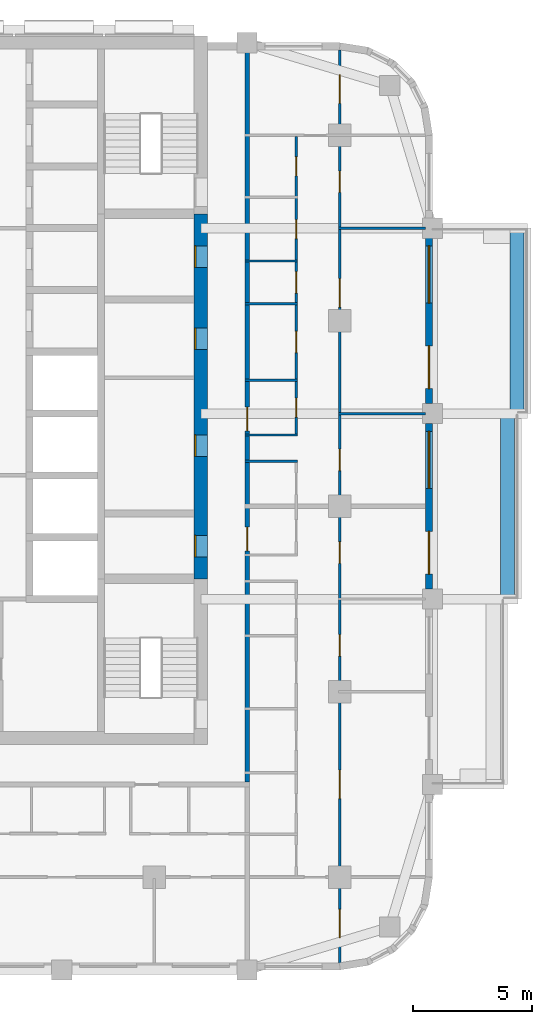
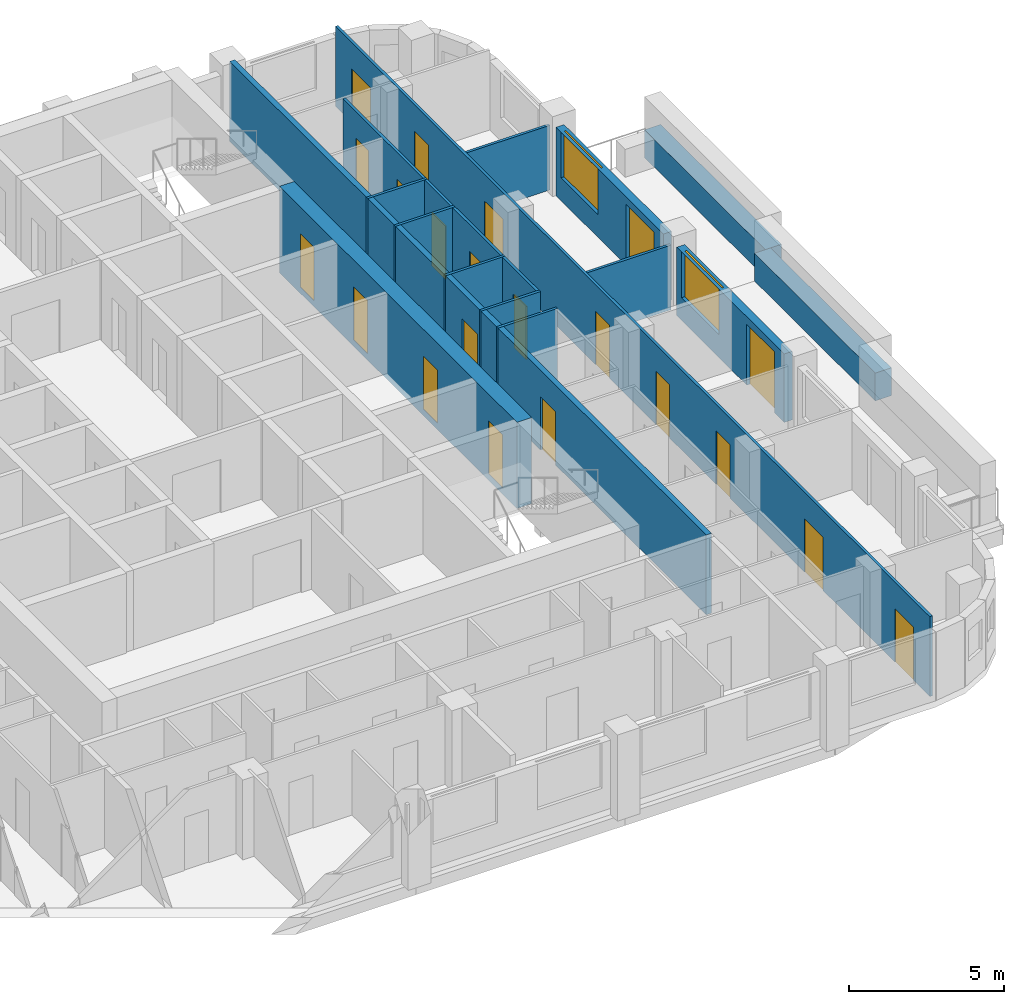
# One storey, part 7 of 13: 21 doors, 15 walls, 2 windows, 23 openings.
"""IFC4 building model written with IfcOpenShell, lengths in metres."""

from ifc_helpers import new_model, si_unit, direction, frame, frame_2d, origin, place, context, subcontext, project, spatial, rectangle, extrude, material, layer, layer_set, type_object, element, fill, save


model = new_model("IFC4")

# Units and contexts
model_context = context("Model", 3, precision=1e-05, world=origin(), true_north=direction((0.0, 1.0)))
body_context = subcontext(model_context, "Body", "Model", "MODEL_VIEW")
ifc_project = project(units=[si_unit("LENGTHUNIT", "METRE"), si_unit("AREAUNIT", "SQUARE_METRE"), si_unit("VOLUMEUNIT", "CUBIC_METRE"), si_unit("PLANEANGLEUNIT", "RADIAN"), si_unit("MASSUNIT", "GRAM", prefix="KILO")], contexts=[model_context])

# Site, building, storey
site_placement = place(None, origin())
site = spatial("IfcSite", under=ifc_project, at=site_placement, CompositionType="ELEMENT")
building_placement = place(site_placement, origin())
building = spatial("IfcBuilding", under=site, at=building_placement, Name="Ludao Terraces", CompositionType="ELEMENT")
storey_placement = place(building_placement, frame((0.0, 0.0, 127.10009765625)))
storey = spatial("IfcBuildingStorey", under=building, at=storey_placement, Name="L34", CompositionType="ELEMENT", Elevation=127.10009765625)

# Wall, openings, doors
ifc_material_1 = material(Name="Concrete C60", Category="concrete")
ifc_layer_1 = layer(ifc_material_1, 0.550048828125)
ifc_layer_set_1 = layer_set([ifc_layer_1], Name="Core wall 550 C60")
wall_type_1 = type_object("IfcWallType", Name="Core wall 550 C60", PredefinedType="SOLIDWALL", material=ifc_layer_set_1)
wall_1_placement = place(storey_placement, frame((94.75, 61.949951171875, -0.25), z_axis=(0.0, 0.0, 1.0), x_axis=(0.0, 1.0, 0.0)))
wall_1 = element("IfcWall", 1, at=wall_1_placement, inside=storey, type_object=wall_type_1, Name="Core wall L34 outer-E", PredefinedType="SOLIDWALL", context=body_context, shape_type="SweptSolid", body=[
    extrude(rectangle(XDim=15.35009765625, YDim=0.550048828125, at=frame_2d((7.675048828125, 0.0))), origin(), (0.0, 0.0, 1.0), 3.39990234375),
])
opening_1_placement = place(wall_1_placement, frame((0.925048828125, 0.0, 0.25)))
opening_1 = element("IfcOpeningElement", 2, at=opening_1_placement, cuts=wall_1, Name="Opening R10-043", PredefinedType="OPENING", context=body_context, shape_type="SweptSolid", body=[
    extrude(rectangle(XDim=0.89990234375, YDim=2.10009765625, at=frame_2d((0.449951171875, 1.050048828125))), frame((0.0, 0.28515625, 0.0), z_axis=(0.0, -1.0, 0.0), x_axis=(1.0, 0.0, 0.0)), (0.0, 0.0, 1.0), 0.570068359375),
])
opening_2_placement = place(wall_1_placement, frame((5.14990234375, 0.0, 0.25)))
opening_2 = element("IfcOpeningElement", 3, at=opening_2_placement, cuts=wall_1, Name="Opening R10-053", PredefinedType="OPENING", context=body_context, shape_type="SweptSolid", body=[
    extrude(rectangle(XDim=0.89990234375, YDim=2.10009765625, at=frame_2d((0.449951171875, 1.050048828125))), frame((0.0, 0.28515625, 0.0), z_axis=(0.0, -1.0, 0.0), x_axis=(1.0, 0.0, 0.0)), (0.0, 0.0, 1.0), 0.570068359375),
])
opening_3_placement = place(wall_1_placement, frame((9.64990234375, 0.0, 0.25)))
opening_3 = element("IfcOpeningElement", 4, at=opening_3_placement, cuts=wall_1, Name="Opening R10-064", PredefinedType="OPENING", context=body_context, shape_type="SweptSolid", body=[
    extrude(rectangle(XDim=0.89990234375, YDim=2.10009765625, at=frame_2d((0.449951171875, 1.050048828125))), frame((0.0, 0.28515625, 0.0), z_axis=(0.0, -1.0, 0.0), x_axis=(1.0, 0.0, 0.0)), (0.0, 0.0, 1.0), 0.570068359375),
])
opening_4_placement = place(wall_1_placement, frame((13.10009765625, 0.0, 0.25)))
opening_4 = element("IfcOpeningElement", 5, at=opening_4_placement, cuts=wall_1, Name="Opening R10-074", PredefinedType="OPENING", context=body_context, shape_type="SweptSolid", body=[
    extrude(rectangle(XDim=0.89990234375, YDim=2.10009765625, at=frame_2d((0.449951171875, 1.050048828125))), frame((0.0, 0.28515625, 0.0), z_axis=(0.0, -1.0, 0.0), x_axis=(1.0, 0.0, 0.0)), (0.0, 0.0, 1.0), 0.570068359375),
])
ifc_material_2 = material(Name="Steel Q235", Category="steel")
door_type_1 = type_object("IfcDoorType", Name="INT Riser door 900", OperationType="SINGLE_SWING_LEFT", PredefinedType="DOOR", material=ifc_material_2)
door_1_placement = place(opening_1_placement, origin())
door_1 = element("IfcDoor", 6, at=door_1_placement, inside=storey, type_object=door_type_1, Name="DOOR 043", OperationType="SINGLE_SWING_LEFT", OverallHeight=2.10009765625, OverallWidth=0.89990234375, PredefinedType="DOOR", context=body_context, shape_type="SweptSolid", body=[
    extrude(rectangle(XDim=0.89990234375, YDim=2.10009765625, at=frame_2d((0.449951171875, 1.050048828125))), frame((0.0, 0.26025390625, 0.0), z_axis=(0.0, -1.0, 0.0), x_axis=(1.0, 0.0, 0.0)), (0.0, 0.0, 1.0), 0.050048828125),
])
fill(opening_1, door_1)
door_2_placement = place(opening_4_placement, origin())
door_2 = element("IfcDoor", 7, at=door_2_placement, inside=storey, type_object=door_type_1, Name="DOOR 074", OperationType="SINGLE_SWING_RIGHT", OverallHeight=2.10009765625, OverallWidth=0.89990234375, PredefinedType="DOOR", context=body_context, shape_type="SweptSolid", body=[
    extrude(rectangle(XDim=0.89990234375, YDim=2.10009765625, at=frame_2d((0.449951171875, 1.050048828125))), frame((0.0, 0.26025390625, 0.0), z_axis=(0.0, -1.0, 0.0), x_axis=(1.0, 0.0, 0.0)), (0.0, 0.0, 1.0), 0.050048828125),
])
fill(opening_4, door_2)
ifc_material_3 = material(Name="Timber door leaf", Category="wood")
door_type_2 = type_object("IfcDoorType", Name="INT Room door 900", OperationType="SINGLE_SWING_LEFT", PredefinedType="DOOR", material=ifc_material_3)
door_3_placement = place(opening_2_placement, origin())
door_3 = element("IfcDoor", 8, at=door_3_placement, inside=storey, type_object=door_type_2, Name="DOOR 053", OperationType="SINGLE_SWING_LEFT", OverallHeight=2.10009765625, OverallWidth=0.89990234375, PredefinedType="DOOR", context=body_context, shape_type="SweptSolid", body=[
    extrude(rectangle(XDim=0.89990234375, YDim=2.10009765625, at=frame_2d((0.449951171875, 1.050048828125))), frame((0.0, 0.26025390625, 0.0), z_axis=(0.0, -1.0, 0.0), x_axis=(1.0, 0.0, 0.0)), (0.0, 0.0, 1.0), 0.050048828125),
])
fill(opening_2, door_3)
door_4_placement = place(opening_3_placement, origin())
door_4 = element("IfcDoor", 9, at=door_4_placement, inside=storey, type_object=door_type_2, Name="DOOR 064", OperationType="SINGLE_SWING_RIGHT", OverallHeight=2.10009765625, OverallWidth=0.89990234375, PredefinedType="DOOR", context=body_context, shape_type="SweptSolid", body=[
    extrude(rectangle(XDim=0.89990234375, YDim=2.10009765625, at=frame_2d((0.449951171875, 1.050048828125))), frame((0.0, 0.26025390625, 0.0), z_axis=(0.0, -1.0, 0.0), x_axis=(1.0, 0.0, 0.0)), (0.0, 0.0, 1.0), 0.050048828125),
])
fill(opening_3, door_4)

# Walls
ifc_material_4 = material(Name="Concrete C40", Category="concrete")
ifc_layer_2 = layer(ifc_material_4, 0.60009765625)
ifc_layer_set_2 = layer_set([ifc_layer_2], Name="ENV Planter trough 600")
wall_type_2 = type_object("IfcWallType", Name="ENV Planter trough 600", PredefinedType="USERDEFINED", material=ifc_layer_set_2)
wall_2_placement = place(storey_placement, frame((107.64990234375, 61.10009765625, 0.0), z_axis=(0.0, 0.0, 1.0), x_axis=(0.0, 1.0, 0.0)))
element("IfcWall", 10, at=wall_2_placement, inside=storey, type_object=wall_type_2, Name="PL-L34-E2", ObjectType="PLANTER", PredefinedType="USERDEFINED", context=body_context, shape_type="SweptSolid", body=[
    extrude(rectangle(XDim=7.7998046875, YDim=0.60009765625, at=frame_2d((3.89990234375, 0.0))), origin(), (0.0, 0.0, 1.0), 1.099853515625),
])
wall_3_placement = place(storey_placement, frame((108.050048828125, 68.89990234375, 0.0), z_axis=(0.0, 0.0, 1.0), x_axis=(0.0, 1.0, 0.0)))
element("IfcWall", 11, at=wall_3_placement, inside=storey, type_object=wall_type_2, Name="PL-L34-E3", ObjectType="PLANTER", PredefinedType="USERDEFINED", context=body_context, shape_type="SweptSolid", body=[
    extrude(rectangle(XDim=7.800048828125, YDim=0.60009765625, at=frame_2d((3.89990234375, 0.0))), origin(), (0.0, 0.0, 1.0), 1.099853515625),
])

# Wall, openings, door, window
ifc_material_5 = material(Name="Granite cladding", Category="masonry")
ifc_layer_3 = layer(ifc_material_5, 0.0400390625, Category="stone")
ifc_material_6 = material(Name="Mineral wool")
ifc_layer_4 = layer(ifc_material_6, 0.06005859375)
ifc_layer_5 = layer(ifc_material_4, 0.199951171875, Category="concrete")
ifc_layer_set_3 = layer_set([ifc_layer_3, ifc_layer_4, ifc_layer_5], Name="ENV Stone-clad wall 300")
wall_type_3 = type_object("IfcWallType", Name="ENV Stone-clad wall 300", PredefinedType="SOLIDWALL", material=ifc_layer_set_3)
wall_4_placement = place(storey_placement, frame((104.35009765625, 61.52490234375, 0.0), z_axis=(0.0, 0.0, 1.0), x_axis=(0.0, 1.0, 0.0)))
wall_4 = element("IfcWall", 12, at=wall_4_placement, inside=storey, type_object=wall_type_3, Name="EW-L34-E3", PredefinedType="SOLIDWALL", context=body_context, shape_type="SweptSolid", body=[
    extrude(rectangle(XDim=6.9501953125, YDim=0.300048828125, at=frame_2d((3.47509765625, 0.0))), origin(), (0.0, 0.0, 1.0), 2.699951171875),
])
opening_5_placement = place(wall_4_placement, frame((0.625, 0.0, 0.0)))
opening_5 = element("IfcOpeningElement", 13, at=opening_5_placement, cuts=wall_4, Name="Opening BD", PredefinedType="OPENING", context=body_context, shape_type="SweptSolid", body=[
    extrude(rectangle(XDim=1.800048828125, YDim=2.39990234375, at=frame_2d((0.89990234375, 1.199951171875))), frame((0.0, 0.16015625, 0.0), z_axis=(0.0, -1.0, 0.0), x_axis=(1.0, 0.0, 0.0)), (0.0, 0.0, 1.0), 0.320068359375),
])
opening_6_placement = place(wall_4_placement, frame((4.22509765625, 0.0, 0.89990234375)))
opening_6 = element("IfcOpeningElement", 14, at=opening_6_placement, cuts=wall_4, Name="Opening W1", PredefinedType="OPENING", context=body_context, shape_type="SweptSolid", body=[
    extrude(rectangle(XDim=2.39990234375, YDim=1.800048828125, at=frame_2d((1.199951171875, 0.89990234375))), frame((0.0, 0.16015625, 0.0), z_axis=(0.0, -1.0, 0.0), x_axis=(1.0, 0.0, 0.0)), (0.0, 0.0, 1.0), 0.320068359375),
])
ifc_material_7 = material(Name="Aluminium glazed door", Category="aluminium")
ifc_layer_6 = layer(ifc_material_7, 0.06005859375)
ifc_layer_set_4 = layer_set([ifc_layer_6], Name="ENV Balcony door BD 1800x2400")
door_type_3 = type_object("IfcDoorType", Name="ENV Balcony door BD 1800x2400", OperationType="DOUBLE_DOOR_SINGLE_SWING", PredefinedType="DOOR", material=ifc_layer_set_4)
door_5_placement = place(opening_5_placement, origin())
door_5 = element("IfcDoor", 15, at=door_5_placement, inside=storey, type_object=door_type_3, Name="BD-L34-E3-1", OperationType="DOUBLE_DOOR_SINGLE_SWING", OverallHeight=2.39990234375, OverallWidth=1.800048828125, PredefinedType="DOOR", context=body_context, shape_type="SweptSolid", body=[
    extrude(rectangle(XDim=1.800048828125, YDim=2.39990234375, at=frame_2d((0.89990234375, 1.199951171875))), frame((0.0, 0.02490234375, 0.0), z_axis=(0.0, -1.0, 0.0), x_axis=(1.0, 0.0, 0.0)), (0.0, 0.0, 1.0), 0.050048828125),
])
fill(opening_5, door_5)
ifc_material_8 = material(Name="Clear glass in aluminium frame", Category="aluminium")
ifc_layer_7 = layer(ifc_material_8, 0.06005859375)
ifc_layer_set_5 = layer_set([ifc_layer_7], Name="ENV Window W1 2400x1800")
window_type = type_object("IfcWindowType", Name="ENV Window W1 2400x1800", PartitioningType="DOUBLE_PANEL_VERTICAL", PredefinedType="WINDOW", material=ifc_layer_set_5)
window_1_placement = place(opening_6_placement, origin())
window_1 = element("IfcWindow", 16, at=window_1_placement, inside=storey, type_object=window_type, Name="W-L34-E3-2", OverallHeight=1.800048828125, OverallWidth=2.39990234375, PartitioningType="DOUBLE_PANEL_VERTICAL", PredefinedType="WINDOW", context=body_context, shape_type="SweptSolid", body=[
    extrude(rectangle(XDim=2.39990234375, YDim=1.800048828125, at=frame_2d((1.199951171875, 0.89990234375))), frame((0.0, 0.030029296875, 0.0), z_axis=(0.0, -1.0, 0.0), x_axis=(1.0, 0.0, 0.0)), (0.0, 0.0, 1.0), 0.06005859375),
])
fill(opening_6, window_1)

wall_5_placement = place(storey_placement, frame((104.35009765625, 69.324951171875, 0.0), z_axis=(0.0, 0.0, 1.0), x_axis=(0.0, 1.0, 0.0)))
wall_5 = element("IfcWall", 17, at=wall_5_placement, inside=storey, type_object=wall_type_3, Name="EW-L34-E4", PredefinedType="SOLIDWALL", context=body_context, shape_type="SweptSolid", body=[
    extrude(rectangle(XDim=6.949951171875, YDim=0.300048828125, at=frame_2d((3.47509765625, 0.0))), origin(), (0.0, 0.0, 1.0), 2.699951171875),
])
opening_7_placement = place(wall_5_placement, frame((0.625, 0.0, 0.0)))
opening_7 = element("IfcOpeningElement", 18, at=opening_7_placement, cuts=wall_5, Name="Opening BD", PredefinedType="OPENING", context=body_context, shape_type="SweptSolid", body=[
    extrude(rectangle(XDim=1.800048828125, YDim=2.39990234375, at=frame_2d((0.89990234375, 1.199951171875))), frame((0.0, 0.16015625, 0.0), z_axis=(0.0, -1.0, 0.0), x_axis=(1.0, 0.0, 0.0)), (0.0, 0.0, 1.0), 0.320068359375),
])
opening_8_placement = place(wall_5_placement, frame((4.22509765625, 0.0, 0.89990234375)))
opening_8 = element("IfcOpeningElement", 19, at=opening_8_placement, cuts=wall_5, Name="Opening W1", PredefinedType="OPENING", context=body_context, shape_type="SweptSolid", body=[
    extrude(rectangle(XDim=2.39990234375, YDim=1.800048828125, at=frame_2d((1.199951171875, 0.89990234375))), frame((0.0, 0.16015625, 0.0), z_axis=(0.0, -1.0, 0.0), x_axis=(1.0, 0.0, 0.0)), (0.0, 0.0, 1.0), 0.320068359375),
])
door_6_placement = place(opening_7_placement, origin())
door_6 = element("IfcDoor", 20, at=door_6_placement, inside=storey, type_object=door_type_3, Name="BD-L34-E4-1", OperationType="DOUBLE_DOOR_SINGLE_SWING", OverallHeight=2.39990234375, OverallWidth=1.800048828125, PredefinedType="DOOR", context=body_context, shape_type="SweptSolid", body=[
    extrude(rectangle(XDim=1.800048828125, YDim=2.39990234375, at=frame_2d((0.89990234375, 1.199951171875))), frame((0.0, 0.02490234375, 0.0), z_axis=(0.0, -1.0, 0.0), x_axis=(1.0, 0.0, 0.0)), (0.0, 0.0, 1.0), 0.050048828125),
])
fill(opening_7, door_6)
window_2_placement = place(opening_8_placement, origin())
window_2 = element("IfcWindow", 21, at=window_2_placement, inside=storey, type_object=window_type, Name="W-L34-E4-2", OverallHeight=1.800048828125, OverallWidth=2.39990234375, PartitioningType="DOUBLE_PANEL_VERTICAL", PredefinedType="WINDOW", context=body_context, shape_type="SweptSolid", body=[
    extrude(rectangle(XDim=2.39990234375, YDim=1.800048828125, at=frame_2d((1.199951171875, 0.89990234375))), frame((0.0, 0.030029296875, 0.0), z_axis=(0.0, -1.0, 0.0), x_axis=(1.0, 0.0, 0.0)), (0.0, 0.0, 1.0), 0.06005859375),
])
fill(opening_8, window_2)

# Wall, openings, doors
ifc_material_9 = material(Name="Autoclaved aerated concrete block B06 A3.5", Category="concrete")
ifc_layer_8 = layer(ifc_material_9, 0.199951171875)
ifc_layer_set_6 = layer_set([ifc_layer_8], Name="INT Entrance wall 200")
wall_type_4 = type_object("IfcWallType", Name="INT Entrance wall 200", PredefinedType="PARTITIONING", material=ifc_layer_set_6)
wall_6_placement = place(storey_placement, frame((96.699951171875, 53.400146484375, 0.0), z_axis=(0.0, 0.0, 1.0), x_axis=(0.0, 1.0, 0.0)))
wall_6 = element("IfcWall", 22, at=wall_6_placement, inside=storey, type_object=wall_type_4, Name="PW-L34-PW067", PredefinedType="PARTITIONING", context=body_context, shape_type="SweptSolid", body=[
    extrude(rectangle(XDim=30.800048828125, YDim=0.199951171875, at=frame_2d((15.39990234375, 0.0))), origin(), (0.0, 0.0, 1.0), 3.14990234375),
])
opening_9_placement = place(wall_6_placement, frame((9.72509765625, 0.0, 0.0)))
opening_9 = element("IfcOpeningElement", 23, at=opening_9_placement, cuts=wall_6, Name="Opening R10-044", PredefinedType="OPENING", context=body_context, shape_type="SweptSolid", body=[
    extrude(rectangle(XDim=1.0, YDim=2.10009765625, at=frame_2d((0.5, 1.050048828125))), frame((0.0, 0.10986328125, 0.0), z_axis=(0.0, -1.0, 0.0), x_axis=(1.0, 0.0, 0.0)), (0.0, 0.0, 1.0), 0.219970703125),
])
opening_10_placement = place(wall_6_placement, frame((14.77490234375, 0.0, 0.0)))
opening_10 = element("IfcOpeningElement", 24, at=opening_10_placement, cuts=wall_6, Name="Opening R10-057", PredefinedType="OPENING", context=body_context, shape_type="SweptSolid", body=[
    extrude(rectangle(XDim=1.0, YDim=2.10009765625, at=frame_2d((0.5, 1.050048828125))), frame((0.0, 0.10986328125, 0.0), z_axis=(0.0, -1.0, 0.0), x_axis=(1.0, 0.0, 0.0)), (0.0, 0.0, 1.0), 0.219970703125),
])
door_type_4 = type_object("IfcDoorType", Name="INT Flat entrance door 1000", OperationType="SINGLE_SWING_LEFT", PredefinedType="DOOR", material=ifc_material_2)
door_7_placement = place(opening_9_placement, origin())
door_7 = element("IfcDoor", 25, at=door_7_placement, inside=storey, type_object=door_type_4, Name="DOOR 044", OperationType="SINGLE_SWING_LEFT", OverallHeight=2.10009765625, OverallWidth=1.0, PredefinedType="DOOR", context=body_context, shape_type="SweptSolid", body=[
    extrude(rectangle(XDim=1.0, YDim=2.10009765625, at=frame_2d((0.5, 1.050048828125))), frame((0.0, 0.02490234375, 0.0), z_axis=(0.0, -1.0, 0.0), x_axis=(1.0, 0.0, 0.0)), (0.0, 0.0, 1.0), 0.050048828125),
])
fill(opening_9, door_7)
door_8_placement = place(opening_10_placement, origin())
door_8 = element("IfcDoor", 26, at=door_8_placement, inside=storey, type_object=door_type_4, Name="DOOR 057", OperationType="SINGLE_SWING_LEFT", OverallHeight=2.10009765625, OverallWidth=1.0, PredefinedType="DOOR", context=body_context, shape_type="SweptSolid", body=[
    extrude(rectangle(XDim=1.0, YDim=2.10009765625, at=frame_2d((0.5, 1.050048828125))), frame((0.0, 0.02490234375, 0.0), z_axis=(0.0, -1.0, 0.0), x_axis=(1.0, 0.0, 0.0)), (0.0, 0.0, 1.0), 0.050048828125),
])
fill(opening_10, door_8)

# Walls
ifc_material_10 = material(Name="Gypsum plasterboard", Category="gypsum")
ifc_layer_9 = layer(ifc_material_10, 0.012451171875, Category="gypsum")
ifc_layer_10 = layer(ifc_material_6, 0.06005859375, Name="insulation")
ifc_layer_11 = layer(ifc_material_2, 0.014892578125, Name="stud")
ifc_layer_12 = layer(ifc_material_10, 0.012451171875, Category="gypsum")
ifc_layer_set_7 = layer_set([ifc_layer_9, ifc_layer_10, ifc_layer_11, ifc_layer_12], Name="INT Partition 100")
wall_type_5 = type_object("IfcWallType", Name="INT Partition 100", PredefinedType="PARTITIONING", material=ifc_layer_set_7)
for number, where, z_axis, x_axis, name in (
    (27, (96.60009765625, 66.89990234375, 0.0), (0.0, 0.0, 1.0), (1.0, 0.0, 0.0), "PW-L34-PW025"),
    (28, (96.60009765625, 68.0, 0.0), (0.0, 0.0, 1.0), (1.0, 0.0, 0.0), "PW-L34-PW028"),
):
    element("IfcWall", number, at=place(storey_placement, frame(where, z_axis=z_axis, x_axis=x_axis)), inside=storey, type_object=wall_type_5, Name=name, PredefinedType="PARTITIONING", context=body_context, shape_type="SweptSolid", body=[
        extrude(rectangle(XDim=2.219970703125, YDim=0.10009765625, at=frame_2d((1.10986328125, 0.0))), origin(), (0.0, 0.0, 1.0), 3.14990234375),
    ])
wall_7_placement = place(storey_placement, frame((100.550048828125, 68.89990234375, 0.0), z_axis=(0.0, 0.0, 1.0), x_axis=(1.0, 0.0, 0.0)))
element("IfcWall", 29, at=wall_7_placement, inside=storey, type_object=wall_type_5, Name="PW-L34-PW030", PredefinedType="PARTITIONING", context=body_context, shape_type="SweptSolid", body=[
    extrude(rectangle(XDim=3.650146484375, YDim=0.10009765625, at=frame_2d((1.8251953125, 0.0))), origin(), (0.0, 0.0, 1.0), 2.5498046875),
])
for number, where, z_axis, x_axis, name in (
    (30, (96.60009765625, 70.300048828125, 0.0), (0.0, 0.0, 1.0), (1.0, 0.0, 0.0), "PW-L34-PW032"),
    (31, (96.60009765625, 73.52001953125, 0.0), (0.0, 0.0, 1.0), (1.0, 0.0, 0.0), "PW-L34-PW036"),
    (32, (96.60009765625, 75.320068359375, 0.0), (0.0, 0.0, 1.0), (1.0, 0.0, 0.0), "PW-L34-PW038"),
):
    element("IfcWall", number, at=place(storey_placement, frame(where, z_axis=z_axis, x_axis=x_axis)), inside=storey, type_object=wall_type_5, Name=name, PredefinedType="PARTITIONING", context=body_context, shape_type="SweptSolid", body=[
        extrude(rectangle(XDim=2.219970703125, YDim=0.10009765625, at=frame_2d((1.10986328125, 0.0))), origin(), (0.0, 0.0, 1.0), 3.14990234375),
    ])
wall_8_placement = place(storey_placement, frame((100.550048828125, 76.699951171875, 0.0), z_axis=(0.0, 0.0, 1.0), x_axis=(1.0, 0.0, 0.0)))
element("IfcWall", 33, at=wall_8_placement, inside=storey, type_object=wall_type_5, Name="PW-L34-PW041", PredefinedType="PARTITIONING", context=body_context, shape_type="SweptSolid", body=[
    extrude(rectangle(XDim=3.650146484375, YDim=0.10009765625, at=frame_2d((1.8251953125, 0.0))), origin(), (0.0, 0.0, 1.0), 2.5498046875),
])

# Wall, openings, doors
wall_9_placement = place(storey_placement, frame((98.77001953125, 68.050048828125, 0.0), z_axis=(0.0, 0.0, 1.0), x_axis=(0.0, 1.0, 0.0)))
wall_9 = element("IfcWall", 34, at=wall_9_placement, inside=storey, type_object=wall_type_5, Name="PW-L34-PW070", PredefinedType="PARTITIONING", context=body_context, shape_type="SweptSolid", body=[
    extrude(rectangle(XDim=12.5, YDim=0.10009765625, at=frame_2d((6.25, 0.0))), origin(), (0.0, 0.0, 1.0), 3.14990234375),
])
opening_11_placement = place(wall_9_placement, frame((0.699951171875, 0.0, 0.0)))
opening_11 = element("IfcOpeningElement", 35, at=opening_11_placement, cuts=wall_9, Name="Opening R10-058", PredefinedType="OPENING", context=body_context, shape_type="SweptSolid", body=[
    extrude(rectangle(XDim=0.800048828125, YDim=2.10009765625, at=frame_2d((0.39990234375, 1.050048828125))), frame((0.0, 0.06005859375, 0.0), z_axis=(0.0, -1.0, 0.0), x_axis=(1.0, 0.0, 0.0)), (0.0, 0.0, 1.0), 0.1201171875),
])
opening_12_placement = place(wall_9_placement, frame((3.409912109375, 0.0, 0.0)))
opening_12 = element("IfcOpeningElement", 36, at=opening_12_placement, cuts=wall_9, Name="Opening R10-063", PredefinedType="OPENING", context=body_context, shape_type="SweptSolid", body=[
    extrude(rectangle(XDim=0.89990234375, YDim=2.10009765625, at=frame_2d((0.449951171875, 1.050048828125))), frame((0.0, 0.06005859375, 0.0), z_axis=(0.0, -1.0, 0.0), x_axis=(1.0, 0.0, 0.0)), (0.0, 0.0, 1.0), 0.1201171875),
])
opening_13_placement = place(wall_9_placement, frame((5.919921875, 0.0, 0.0)))
opening_13 = element("IfcOpeningElement", 37, at=opening_13_placement, cuts=wall_9, Name="Opening R10-070", PredefinedType="OPENING", context=body_context, shape_type="SweptSolid", body=[
    extrude(rectangle(XDim=0.89990234375, YDim=2.10009765625, at=frame_2d((0.449951171875, 1.050048828125))), frame((0.0, 0.06005859375, 0.0), z_axis=(0.0, -1.0, 0.0), x_axis=(1.0, 0.0, 0.0)), (0.0, 0.0, 1.0), 0.1201171875),
])
opening_14_placement = place(wall_9_placement, frame((8.2099609375, 0.0, 0.0)))
opening_14 = element("IfcOpeningElement", 38, at=opening_14_placement, cuts=wall_9, Name="Opening R10-076", PredefinedType="OPENING", context=body_context, shape_type="SweptSolid", body=[
    extrude(rectangle(XDim=0.800048828125, YDim=2.10009765625, at=frame_2d((0.39990234375, 1.050048828125))), frame((0.0, 0.06005859375, 0.0), z_axis=(0.0, -1.0, 0.0), x_axis=(1.0, 0.0, 0.0)), (0.0, 0.0, 1.0), 0.1201171875),
])
opening_15_placement = place(wall_9_placement, frame((10.85009765625, 0.0, 0.0)))
opening_15 = element("IfcOpeningElement", 39, at=opening_15_placement, cuts=wall_9, Name="Opening R10-086", PredefinedType="OPENING", context=body_context, shape_type="SweptSolid", body=[
    extrude(rectangle(XDim=0.800048828125, YDim=2.10009765625, at=frame_2d((0.39990234375, 1.050048828125))), frame((0.0, 0.06005859375, 0.0), z_axis=(0.0, -1.0, 0.0), x_axis=(1.0, 0.0, 0.0)), (0.0, 0.0, 1.0), 0.1201171875),
])
door_type_5 = type_object("IfcDoorType", Name="INT Bathroom door 900", OperationType="SINGLE_SWING_LEFT", PredefinedType="DOOR", material=ifc_material_3)
door_9_placement = place(opening_13_placement, origin())
door_9 = element("IfcDoor", 40, at=door_9_placement, inside=storey, type_object=door_type_5, Name="DOOR 070", OperationType="SINGLE_SWING_LEFT", OverallHeight=2.10009765625, OverallWidth=0.89990234375, PredefinedType="DOOR", context=body_context, shape_type="SweptSolid", body=[
    extrude(rectangle(XDim=0.89990234375, YDim=2.10009765625, at=frame_2d((0.449951171875, 1.050048828125))), frame((0.0, 0.02490234375, 0.0), z_axis=(0.0, -1.0, 0.0), x_axis=(1.0, 0.0, 0.0)), (0.0, 0.0, 1.0), 0.050048828125),
])
fill(opening_13, door_9)
door_10_placement = place(opening_12_placement, origin())
door_10 = element("IfcDoor", 41, at=door_10_placement, inside=storey, type_object=door_type_2, Name="DOOR 063", OperationType="SINGLE_SWING_LEFT", OverallHeight=2.10009765625, OverallWidth=0.89990234375, PredefinedType="DOOR", context=body_context, shape_type="SweptSolid", body=[
    extrude(rectangle(XDim=0.89990234375, YDim=2.10009765625, at=frame_2d((0.449951171875, 1.050048828125))), frame((0.0, 0.02490234375, 0.0), z_axis=(0.0, -1.0, 0.0), x_axis=(1.0, 0.0, 0.0)), (0.0, 0.0, 1.0), 0.050048828125),
])
fill(opening_12, door_10)
door_type_6 = type_object("IfcDoorType", Name="INT Store door 800", OperationType="SINGLE_SWING_LEFT", PredefinedType="DOOR", material=ifc_material_3)
door_11_placement = place(opening_11_placement, origin())
door_11 = element("IfcDoor", 42, at=door_11_placement, inside=storey, type_object=door_type_6, Name="DOOR 058", OperationType="SINGLE_SWING_LEFT", OverallHeight=2.10009765625, OverallWidth=0.800048828125, PredefinedType="DOOR", context=body_context, shape_type="SweptSolid", body=[
    extrude(rectangle(XDim=0.800048828125, YDim=2.10009765625, at=frame_2d((0.39990234375, 1.050048828125))), frame((0.0, 0.02490234375, 0.0), z_axis=(0.0, -1.0, 0.0), x_axis=(1.0, 0.0, 0.0)), (0.0, 0.0, 1.0), 0.050048828125),
])
fill(opening_11, door_11)
door_12_placement = place(opening_14_placement, origin())
door_12 = element("IfcDoor", 43, at=door_12_placement, inside=storey, type_object=door_type_6, Name="DOOR 076", OperationType="SINGLE_SWING_LEFT", OverallHeight=2.10009765625, OverallWidth=0.800048828125, PredefinedType="DOOR", context=body_context, shape_type="SweptSolid", body=[
    extrude(rectangle(XDim=0.800048828125, YDim=2.10009765625, at=frame_2d((0.39990234375, 1.050048828125))), frame((0.0, 0.02490234375, 0.0), z_axis=(0.0, -1.0, 0.0), x_axis=(1.0, 0.0, 0.0)), (0.0, 0.0, 1.0), 0.050048828125),
])
fill(opening_14, door_12)
door_13_placement = place(opening_15_placement, origin())
door_13 = element("IfcDoor", 44, at=door_13_placement, inside=storey, type_object=door_type_6, Name="DOOR 086", OperationType="SINGLE_SWING_RIGHT", OverallHeight=2.10009765625, OverallWidth=0.800048828125, PredefinedType="DOOR", context=body_context, shape_type="SweptSolid", body=[
    extrude(rectangle(XDim=0.800048828125, YDim=2.10009765625, at=frame_2d((0.39990234375, 1.050048828125))), frame((0.0, 0.02490234375, 0.0), z_axis=(0.0, -1.0, 0.0), x_axis=(1.0, 0.0, 0.0)), (0.0, 0.0, 1.0), 0.050048828125),
])
fill(opening_15, door_13)

wall_10_placement = place(storey_placement, frame((100.60009765625, 45.800048828125, 0.0), z_axis=(0.0, 0.0, 1.0), x_axis=(0.0, 1.0, 0.0)))
wall_10 = element("IfcWall", 45, at=wall_10_placement, inside=storey, type_object=wall_type_5, Name="PW-L34-PW071", PredefinedType="PARTITIONING", context=body_context, shape_type="SweptSolid", body=[
    extrude(rectangle(XDim=38.400146484375, YDim=0.10009765625, at=frame_2d((19.2001953125, 0.0))), origin(), (0.0, 0.0, 1.0), 3.14990234375),
])
opening_16_placement = place(wall_10_placement, frame((1.050048828125, 0.0, 0.0)))
opening_16 = element("IfcOpeningElement", 46, at=opening_16_placement, cuts=wall_10, Name="Opening R10-002", PredefinedType="OPENING", context=body_context, shape_type="SweptSolid", body=[
    extrude(rectangle(XDim=1.199951171875, YDim=2.10009765625, at=frame_2d((0.60009765625, 1.050048828125))), frame((0.0, 0.06005859375, 0.0), z_axis=(0.0, -1.0, 0.0), x_axis=(1.0, 0.0, 0.0)), (0.0, 0.0, 1.0), 0.1201171875),
])
opening_17_placement = place(wall_10_placement, frame((6.89990234375, 0.0, 0.0)))
opening_17 = element("IfcOpeningElement", 47, at=opening_17_placement, cuts=wall_10, Name="Opening R10-024", PredefinedType="OPENING", context=body_context, shape_type="SweptSolid", body=[
    extrude(rectangle(XDim=1.199951171875, YDim=2.10009765625, at=frame_2d((0.60009765625, 1.050048828125))), frame((0.0, 0.06005859375, 0.0), z_axis=(0.0, -1.0, 0.0), x_axis=(1.0, 0.0, 0.0)), (0.0, 0.0, 1.0), 0.1201171875),
])
opening_18_placement = place(wall_10_placement, frame((12.89990234375, 0.0, 0.0)))
opening_18 = element("IfcOpeningElement", 48, at=opening_18_placement, cuts=wall_10, Name="Opening R10-035", PredefinedType="OPENING", context=body_context, shape_type="SweptSolid", body=[
    extrude(rectangle(XDim=0.89990234375, YDim=2.10009765625, at=frame_2d((0.449951171875, 1.050048828125))), frame((0.0, 0.06005859375, 0.0), z_axis=(0.0, -1.0, 0.0), x_axis=(1.0, 0.0, 0.0)), (0.0, 0.0, 1.0), 0.1201171875),
])
opening_19_placement = place(wall_10_placement, frame((16.800048828125, 0.0, 0.0)))
opening_19 = element("IfcOpeningElement", 49, at=opening_19_placement, cuts=wall_10, Name="Opening R10-042", PredefinedType="OPENING", context=body_context, shape_type="SweptSolid", body=[
    extrude(rectangle(XDim=0.89990234375, YDim=2.10009765625, at=frame_2d((0.449951171875, 1.050048828125))), frame((0.0, 0.06005859375, 0.0), z_axis=(0.0, -1.0, 0.0), x_axis=(1.0, 0.0, 0.0)), (0.0, 0.0, 1.0), 0.1201171875),
])
opening_20_placement = place(wall_10_placement, frame((20.699951171875, 0.0, 0.0)))
opening_20 = element("IfcOpeningElement", 50, at=opening_20_placement, cuts=wall_10, Name="Opening R10-052", PredefinedType="OPENING", context=body_context, shape_type="SweptSolid", body=[
    extrude(rectangle(XDim=0.89990234375, YDim=2.10009765625, at=frame_2d((0.449951171875, 1.050048828125))), frame((0.0, 0.06005859375, 0.0), z_axis=(0.0, -1.0, 0.0), x_axis=(1.0, 0.0, 0.0)), (0.0, 0.0, 1.0), 0.1201171875),
])
opening_21_placement = place(wall_10_placement, frame((27.574951171875, 0.0, 0.0)))
opening_21 = element("IfcOpeningElement", 51, at=opening_21_placement, cuts=wall_10, Name="Opening R10-069", PredefinedType="OPENING", context=body_context, shape_type="SweptSolid", body=[
    extrude(rectangle(XDim=1.199951171875, YDim=2.10009765625, at=frame_2d((0.60009765625, 1.050048828125))), frame((0.0, 0.06005859375, 0.0), z_axis=(0.0, -1.0, 0.0), x_axis=(1.0, 0.0, 0.0)), (0.0, 0.0, 1.0), 0.1201171875),
])
opening_22_placement = place(wall_10_placement, frame((32.39990234375, 0.0, 0.0)))
opening_22 = element("IfcOpeningElement", 52, at=opening_22_placement, cuts=wall_10, Name="Opening R10-084", PredefinedType="OPENING", context=body_context, shape_type="SweptSolid", body=[
    extrude(rectangle(XDim=0.89990234375, YDim=2.10009765625, at=frame_2d((0.449951171875, 1.050048828125))), frame((0.0, 0.06005859375, 0.0), z_axis=(0.0, -1.0, 0.0), x_axis=(1.0, 0.0, 0.0)), (0.0, 0.0, 1.0), 0.1201171875),
])
opening_23_placement = place(wall_10_placement, frame((36.14990234375, 0.0, 0.0)))
opening_23 = element("IfcOpeningElement", 53, at=opening_23_placement, cuts=wall_10, Name="Opening R10-092", PredefinedType="OPENING", context=body_context, shape_type="SweptSolid", body=[
    extrude(rectangle(XDim=1.199951171875, YDim=2.10009765625, at=frame_2d((0.60009765625, 1.050048828125))), frame((0.0, 0.06005859375, 0.0), z_axis=(0.0, -1.0, 0.0), x_axis=(1.0, 0.0, 0.0)), (0.0, 0.0, 1.0), 0.1201171875),
])
door_type_7 = type_object("IfcDoorType", Name="INT Double door 1200", OperationType="DOUBLE_DOOR_SINGLE_SWING", PredefinedType="DOOR", material=ifc_material_3)
door_14_placement = place(opening_16_placement, origin())
door_14 = element("IfcDoor", 54, at=door_14_placement, inside=storey, type_object=door_type_7, Name="DOOR 002", OperationType="DOUBLE_DOOR_SINGLE_SWING", OverallHeight=2.10009765625, OverallWidth=1.199951171875, PredefinedType="DOOR", context=body_context, shape_type="SweptSolid", body=[
    extrude(rectangle(XDim=1.199951171875, YDim=2.10009765625, at=frame_2d((0.60009765625, 1.050048828125))), frame((0.0, 0.02490234375, 0.0), z_axis=(0.0, -1.0, 0.0), x_axis=(1.0, 0.0, 0.0)), (0.0, 0.0, 1.0), 0.050048828125),
])
fill(opening_16, door_14)
door_15_placement = place(opening_17_placement, origin())
door_15 = element("IfcDoor", 55, at=door_15_placement, inside=storey, type_object=door_type_7, Name="DOOR 024", OperationType="DOUBLE_DOOR_SINGLE_SWING", OverallHeight=2.10009765625, OverallWidth=1.199951171875, PredefinedType="DOOR", context=body_context, shape_type="SweptSolid", body=[
    extrude(rectangle(XDim=1.199951171875, YDim=2.10009765625, at=frame_2d((0.60009765625, 1.050048828125))), frame((0.0, 0.02490234375, 0.0), z_axis=(0.0, -1.0, 0.0), x_axis=(1.0, 0.0, 0.0)), (0.0, 0.0, 1.0), 0.050048828125),
])
fill(opening_17, door_15)
door_16_placement = place(opening_21_placement, origin())
door_16 = element("IfcDoor", 56, at=door_16_placement, inside=storey, type_object=door_type_7, Name="DOOR 069", OperationType="DOUBLE_DOOR_SINGLE_SWING", OverallHeight=2.10009765625, OverallWidth=1.199951171875, PredefinedType="DOOR", context=body_context, shape_type="SweptSolid", body=[
    extrude(rectangle(XDim=1.199951171875, YDim=2.10009765625, at=frame_2d((0.60009765625, 1.050048828125))), frame((0.0, 0.02490234375, 0.0), z_axis=(0.0, -1.0, 0.0), x_axis=(1.0, 0.0, 0.0)), (0.0, 0.0, 1.0), 0.050048828125),
])
fill(opening_21, door_16)
door_17_placement = place(opening_23_placement, origin())
door_17 = element("IfcDoor", 57, at=door_17_placement, inside=storey, type_object=door_type_7, Name="DOOR 092", OperationType="DOUBLE_DOOR_SINGLE_SWING", OverallHeight=2.10009765625, OverallWidth=1.199951171875, PredefinedType="DOOR", context=body_context, shape_type="SweptSolid", body=[
    extrude(rectangle(XDim=1.199951171875, YDim=2.10009765625, at=frame_2d((0.60009765625, 1.050048828125))), frame((0.0, 0.02490234375, 0.0), z_axis=(0.0, -1.0, 0.0), x_axis=(1.0, 0.0, 0.0)), (0.0, 0.0, 1.0), 0.050048828125),
])
fill(opening_23, door_17)
door_18_placement = place(opening_18_placement, origin())
door_18 = element("IfcDoor", 58, at=door_18_placement, inside=storey, type_object=door_type_2, Name="DOOR 035", OperationType="SINGLE_SWING_LEFT", OverallHeight=2.10009765625, OverallWidth=0.89990234375, PredefinedType="DOOR", context=body_context, shape_type="SweptSolid", body=[
    extrude(rectangle(XDim=0.89990234375, YDim=2.10009765625, at=frame_2d((0.449951171875, 1.050048828125))), frame((0.0, 0.02490234375, 0.0), z_axis=(0.0, -1.0, 0.0), x_axis=(1.0, 0.0, 0.0)), (0.0, 0.0, 1.0), 0.050048828125),
])
fill(opening_18, door_18)
door_19_placement = place(opening_19_placement, origin())
door_19 = element("IfcDoor", 59, at=door_19_placement, inside=storey, type_object=door_type_2, Name="DOOR 042", OperationType="SINGLE_SWING_RIGHT", OverallHeight=2.10009765625, OverallWidth=0.89990234375, PredefinedType="DOOR", context=body_context, shape_type="SweptSolid", body=[
    extrude(rectangle(XDim=0.89990234375, YDim=2.10009765625, at=frame_2d((0.449951171875, 1.050048828125))), frame((0.0, 0.02490234375, 0.0), z_axis=(0.0, -1.0, 0.0), x_axis=(1.0, 0.0, 0.0)), (0.0, 0.0, 1.0), 0.050048828125),
])
fill(opening_19, door_19)
door_20_placement = place(opening_20_placement, origin())
door_20 = element("IfcDoor", 60, at=door_20_placement, inside=storey, type_object=door_type_2, Name="DOOR 052", OperationType="SINGLE_SWING_LEFT", OverallHeight=2.10009765625, OverallWidth=0.89990234375, PredefinedType="DOOR", context=body_context, shape_type="SweptSolid", body=[
    extrude(rectangle(XDim=0.89990234375, YDim=2.10009765625, at=frame_2d((0.449951171875, 1.050048828125))), frame((0.0, 0.02490234375, 0.0), z_axis=(0.0, -1.0, 0.0), x_axis=(1.0, 0.0, 0.0)), (0.0, 0.0, 1.0), 0.050048828125),
])
fill(opening_20, door_20)
door_21_placement = place(opening_22_placement, origin())
door_21 = element("IfcDoor", 61, at=door_21_placement, inside=storey, type_object=door_type_2, Name="DOOR 084", OperationType="SINGLE_SWING_RIGHT", OverallHeight=2.10009765625, OverallWidth=0.89990234375, PredefinedType="DOOR", context=body_context, shape_type="SweptSolid", body=[
    extrude(rectangle(XDim=0.89990234375, YDim=2.10009765625, at=frame_2d((0.449951171875, 1.050048828125))), frame((0.0, 0.02490234375, 0.0), z_axis=(0.0, -1.0, 0.0), x_axis=(1.0, 0.0, 0.0)), (0.0, 0.0, 1.0), 0.050048828125),
])
fill(opening_22, door_21)

save(model, "model.ifc")
